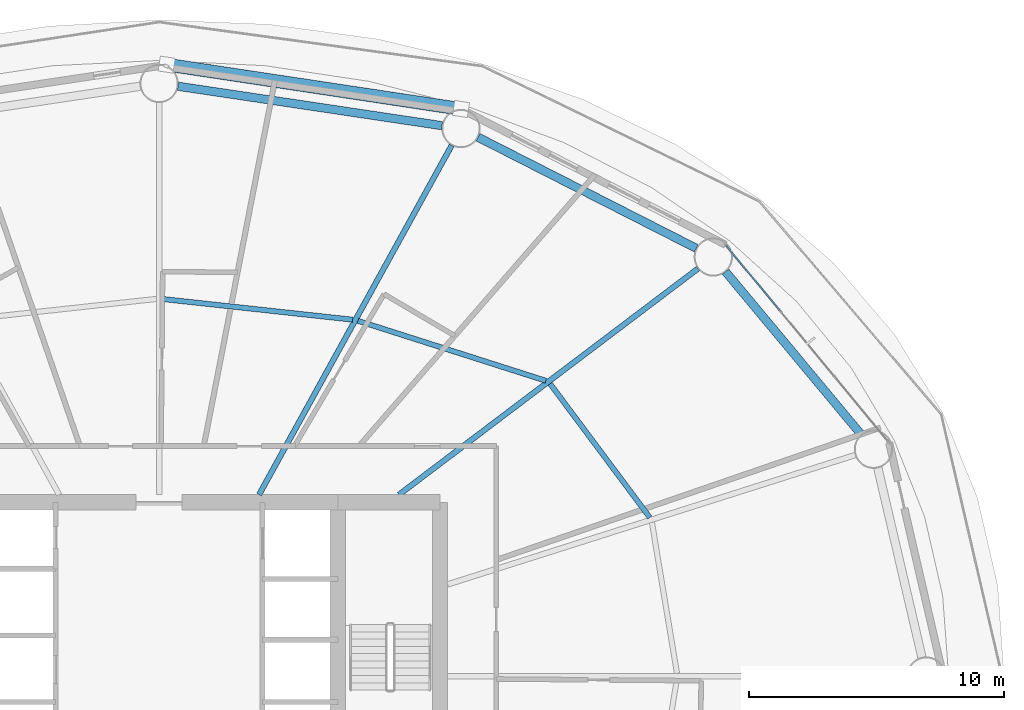
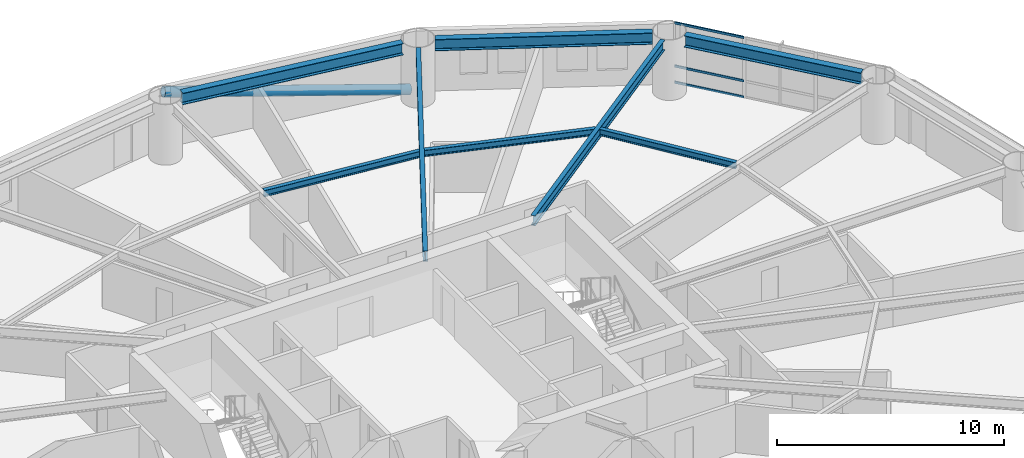
# One storey, part 12 of 27: 8 beams, 4 members, 1 element without a shape of its own.
"""IFC4 building model written with IfcOpenShell, lengths in metres."""

from ifc_helpers import new_model, si_unit, direction, frame, origin, origin_2d, place, context, subcontext, project, spatial, hollow_rectangle, hollow_circle, i_section, extrude, material, layer, layer_set, material_profile, profile_set, type_object, element, aggregate, save


model = new_model("IFC4")

# Units and contexts
model_context = context("Model", 3, precision=1e-05, world=origin(), true_north=direction((0.0, 1.0)))
body_context = subcontext(model_context, "Body", "Model", "MODEL_VIEW")
ifc_project = project(units=[si_unit("LENGTHUNIT", "METRE"), si_unit("AREAUNIT", "SQUARE_METRE"), si_unit("VOLUMEUNIT", "CUBIC_METRE"), si_unit("PLANEANGLEUNIT", "RADIAN"), si_unit("MASSUNIT", "GRAM", prefix="KILO")], contexts=[model_context])

# Site, building, storey
site_placement = place(None, origin())
site = spatial("IfcSite", under=ifc_project, at=site_placement, CompositionType="ELEMENT")
building_placement = place(site_placement, origin())
building = spatial("IfcBuilding", under=site, at=building_placement, Name="Sarneth Arch Tower", CompositionType="ELEMENT")
storey_placement = place(building_placement, frame((0.0, 0.0, 75.0)))
storey = spatial("IfcBuildingStorey", under=building, at=storey_placement, Name="L18", CompositionType="ELEMENT", Elevation=75.0)

# Beams
ifc_material_1 = material(Name="Steel S355", Category="steel")
ifc_material_profile_1 = material_profile(ifc_material_1, i_section(OverallWidth=0.202880859375, OverallDepth=0.346923828125, WebThickness=0.0078125, FlangeThickness=0.013427734375, FilletRadius=0.014892578125, at=origin_2d()), Name="W360x64")
ifc_profile_set_1 = profile_set([ifc_material_profile_1], Name="Steel S355")
beam_type_1 = type_object("IfcBeamType", Name="BM-JOIST-360C", PredefinedType="JOIST", material=ifc_profile_set_1)
beam_1_placement = place(storey_placement, frame((67.21142578125, 48.205078125, 3.076416015625), z_axis=(-0.597700490469, 0.801719479428, 0.0), x_axis=(-0.801719479428, -0.597700490469, 0.0)))
element("IfcBeam", 1, at=beam_1_placement, inside=storey, type_object=beam_type_1, Name="L18 Secondary floor joist 02", PredefinedType="JOIST", context=body_context, shape_type="SweptSolid", body=[
    extrude(i_section(OverallWidth=0.202880859375, OverallDepth=0.346923828125, WebThickness=0.0078125, FlangeThickness=0.013427734375, FilletRadius=0.014892578125, at=origin_2d()), origin(), (0.0, 0.0, 1.0), 6.5302734375),
])
beam_2_placement = place(storey_placement, frame((63.142333984375, 53.558837890625, 3.076416015625), z_axis=(-0.95266836992, 0.304011475036, 0.0), x_axis=(-0.304011475036, -0.95266836992, 0.0)))
element("IfcBeam", 2, at=beam_2_placement, inside=storey, type_object=beam_type_1, Name="L18 Secondary floor joist 03", PredefinedType="JOIST", context=body_context, shape_type="SweptSolid", body=[
    extrude(i_section(OverallWidth=0.202880859375, OverallDepth=0.346923828125, WebThickness=0.0078125, FlangeThickness=0.013427734375, FilletRadius=0.014892578125, at=origin_2d()), origin(), (0.0, 0.0, 1.0), 7.720703125),
])
beam_3_placement = place(storey_placement, frame((55.578857421875, 55.9501953125, 3.076416015625), z_axis=(-0.994129966112, 0.108192469602, 0.0), x_axis=(-0.108192469602, -0.994129966112, 0.0)))
element("IfcBeam", 3, at=beam_3_placement, inside=storey, type_object=beam_type_1, Name="L18 Secondary floor joist 04", PredefinedType="JOIST", context=body_context, shape_type="SweptSolid", body=[
    extrude(i_section(OverallWidth=0.202880859375, OverallDepth=0.346923828125, WebThickness=0.0078125, FlangeThickness=0.013427734375, FilletRadius=0.014892578125, at=origin_2d()), origin(), (0.0, 0.0, 1.0), 7.5166015625),
])
ifc_material_2 = material(Name="Steel S355", Category="steel")
ifc_material_profile_2 = material_profile(ifc_material_2, i_section(OverallWidth=0.214111328125, OverallDepth=0.549072265625, WebThickness=0.0146484375, FlangeThickness=0.023681640625, FilletRadius=0.01806640625, at=origin_2d()), Name="W530x138")
ifc_profile_set_2 = profile_set([ifc_material_profile_2], Name="Steel S355")
beam_type_2 = type_object("IfcBeamType", Name="BM-RAD-530A", PredefinedType="BEAM", material=ifc_profile_set_2)
beam_4_placement = place(storey_placement, frame((57.390380859375, 49.10009765625, 2.9755859375), z_axis=(0.79765464731, 0.603114469753, 0.0), x_axis=(-0.603114469753, 0.79765464731, 0.0)))
element("IfcBeam", 4, at=beam_4_placement, inside=storey, type_object=beam_type_2, Name="L18 Radial floor girder 03", PredefinedType="BEAM", context=body_context, shape_type="SweptSolid", body=[
    extrude(i_section(OverallWidth=0.214111328125, OverallDepth=0.549072265625, WebThickness=0.0146484375, FlangeThickness=0.023681640625, FilletRadius=0.01806640625, at=origin_2d()), origin(), (0.0, 0.0, 1.0), 14.677978515625),
])
beam_5_placement = place(storey_placement, frame((51.91455078125, 49.10009765625, 2.9755859375), z_axis=(0.482841370957, 0.875707833979, 0.0), x_axis=(-0.875707833979, 0.482841370957, 0.0)))
element("IfcBeam", 5, at=beam_5_placement, inside=storey, type_object=beam_type_2, Name="L18 Radial floor girder 04", PredefinedType="BEAM", context=body_context, shape_type="SweptSolid", body=[
    extrude(i_section(OverallWidth=0.214111328125, OverallDepth=0.549072265625, WebThickness=0.0146484375, FlangeThickness=0.023681640625, FilletRadius=0.01806640625, at=origin_2d()), origin(), (0.0, 0.0, 1.0), 15.618408203125),
])
ifc_material_3 = material(Name="Steel S355", Category="steel")
ifc_material_profile_3 = material_profile(ifc_material_3, i_section(OverallWidth=0.326904296875, OverallDepth=0.6220703125, WebThickness=0.015380859375, FlangeThickness=0.0244140625, FilletRadius=0.01904296875, at=origin_2d()), Name="W610x195")
ifc_profile_set_3 = profile_set([ifc_material_profile_3], Name="Steel S355")
beam_type_3 = type_object("IfcBeamType", Name="BM-SPAN-610A", PredefinedType="SPANDREL", material=ifc_profile_set_3)
beam_6_placement = place(storey_placement, frame((75.485595703125, 51.45458984375, 2.93896484375), z_axis=(-0.639981736251, 0.768390120489, 0.0), x_axis=(-0.768390120489, -0.639981736251, 0.0)))
element("IfcBeam", 6, at=beam_6_placement, inside=storey, type_object=beam_type_3, Name="L18 Perimeter spandrel beam 02", PredefinedType="SPANDREL", context=body_context, shape_type="SweptSolid", body=[
    extrude(i_section(OverallWidth=0.326904296875, OverallDepth=0.6220703125, WebThickness=0.015380859375, FlangeThickness=0.0244140625, FilletRadius=0.01904296875, at=origin_2d()), origin(), (0.0, 0.0, 1.0), 8.29541015625),
])
beam_7_placement = place(storey_placement, frame((69.0283203125, 58.7451171875, 2.93896484375), z_axis=(-0.891169106887, 0.453671271882, 0.0), x_axis=(-0.453671271882, -0.891169106887, 0.0)))
element("IfcBeam", 7, at=beam_7_placement, inside=storey, type_object=beam_type_3, Name="L18 Perimeter spandrel beam 03", PredefinedType="SPANDREL", context=body_context, shape_type="SweptSolid", body=[
    extrude(i_section(OverallWidth=0.326904296875, OverallDepth=0.6220703125, WebThickness=0.015380859375, FlangeThickness=0.0244140625, FilletRadius=0.01904296875, at=origin_2d()), origin(), (0.0, 0.0, 1.0), 9.58544921875),
])
beam_8_placement = place(storey_placement, frame((59.076171875, 63.544921875, 2.93896484375), z_axis=(-0.989020169581, 0.147780594675, 0.0), x_axis=(-0.147780594675, -0.989020169581, 0.0)))
element("IfcBeam", 8, at=beam_8_placement, inside=storey, type_object=beam_type_3, Name="L18 Perimeter spandrel beam 04", PredefinedType="SPANDREL", context=body_context, shape_type="SweptSolid", body=[
    extrude(i_section(OverallWidth=0.326904296875, OverallDepth=0.6220703125, WebThickness=0.015380859375, FlangeThickness=0.0244140625, FilletRadius=0.01904296875, at=origin_2d()), origin(), (0.0, 0.0, 1.0), 10.44921875),
])

# Curtain wall, members
ifc_material_4 = material(Name="Anodised aluminium Type AA25 and solar-control low-e laminated IGU", Category="aluminium")
ifc_layer = layer(ifc_material_4, 0.159912109375)
ifc_layer_set = layer_set([ifc_layer], Name="Anodised aluminium Type AA25 and solar-control low-e laminated IGU")
curtain_wall_type = type_object("IfcCurtainWallType", Name="CW-HOTEL-LOW", PredefinedType="NOTDEFINED", material=ifc_layer_set)
curtain_wall_placement = place(storey_placement, origin())
curtain_wall = element("IfcCurtainWall", 9, at=curtain_wall_placement, inside=storey, type_object=curtain_wall_type, Name="L18 Unitised curtain wall facet 02", PredefinedType="NOTDEFINED")
ifc_material_5 = material(Name="Anodised Aluminium 6063-T6", Category="aluminium")
ifc_material_profile_4 = material_profile(ifc_material_5, hollow_rectangle(XDim=0.06005859375, YDim=0.1201171875, WallThickness=0.00390625, at=origin_2d()), Name="AL-TRAN-120x60x4")
ifc_profile_set_4 = profile_set([ifc_material_profile_4], Name="Anodised Aluminium 6063-T6")
member_type_1 = type_object("IfcMemberType", Name="CW-TRANSOM", PredefinedType="USERDEFINED", material=ifc_profile_set_4)
member_1_placement = place(storey_placement, frame((72.29052734375, 56.326416015625, 0.030029296875), z_axis=(-0.637285736625, 0.770627594817, 0.0), x_axis=(-0.770627594817, -0.637285736625, 0.0)))
member_1 = element("IfcMember", 10, at=member_1_placement, type_object=member_type_1, Name="CW-SYS-3 transom 3.1", ObjectType="TRANSOM", PredefinedType="USERDEFINED", context=body_context, shape_type="SweptSolid", body=[
    extrude(hollow_rectangle(XDim=0.06005859375, YDim=0.1201171875, WallThickness=0.00390625, at=origin_2d()), origin(), (0.0, 0.0, 1.0), 3.260986328125),
])
member_2_placement = place(storey_placement, frame((72.29052734375, 56.326416015625, 0.89990234375), z_axis=(-0.637285736625, 0.770627594817, 0.0), x_axis=(-0.770627594817, -0.637285736625, 0.0)))
member_2 = element("IfcMember", 11, at=member_2_placement, type_object=member_type_1, Name="CW-SYS-3 transom 3.2", ObjectType="TRANSOM", PredefinedType="USERDEFINED", context=body_context, shape_type="SweptSolid", body=[
    extrude(hollow_rectangle(XDim=0.06005859375, YDim=0.1201171875, WallThickness=0.00390625, at=origin_2d()), origin(), (0.0, 0.0, 1.0), 3.260986328125),
])
member_3_placement = place(storey_placement, frame((72.29052734375, 56.326416015625, 3.219970703125), z_axis=(-0.637285736625, 0.770627594817, 0.0), x_axis=(-0.770627594817, -0.637285736625, 0.0)))
member_3 = element("IfcMember", 12, at=member_3_placement, type_object=member_type_1, Name="CW-SYS-3 transom 3.3", ObjectType="TRANSOM", PredefinedType="USERDEFINED", context=body_context, shape_type="SweptSolid", body=[
    extrude(hollow_rectangle(XDim=0.06005859375, YDim=0.1201171875, WallThickness=0.00390625, at=origin_2d()), origin(), (0.0, 0.0, 1.0), 3.260986328125),
])
aggregate(curtain_wall, [member_1, member_2, member_3])

# Member
ifc_material_6 = material(Name="Steel S355", Category="steel")
ifc_material_profile_5 = material_profile(ifc_material_6, hollow_circle(Radius=0.25390625, WallThickness=0.01611328125, at=origin_2d()), Name="CHS508x16")
ifc_profile_set_5 = profile_set([ifc_material_profile_5], Name="Steel S355")
member_type_2 = type_object("IfcMemberType", Name="MEM-DIAG-BR1", PredefinedType="BRACE", material=ifc_profile_set_5)
member_4_placement = place(storey_placement, frame((59.819580078125, 64.19921875, 0.02001953125), z_axis=(-0.960402443555, 0.144697270565, 0.238096296285), x_axis=(-0.1489817545, -0.988839944999, 0.0)))
element("IfcMember", 13, at=member_4_placement, inside=storey, type_object=member_type_2, Name="L18 Perimeter frame diagonal 04", PredefinedType="BRACE", context=body_context, shape_type="SweptSolid", body=[
    extrude(hollow_circle(Radius=0.25390625, WallThickness=0.01611328125, at=origin_2d()), origin(), (0.0, 0.0, 1.0), 11.998046875),
])

save(model, "model.ifc")
